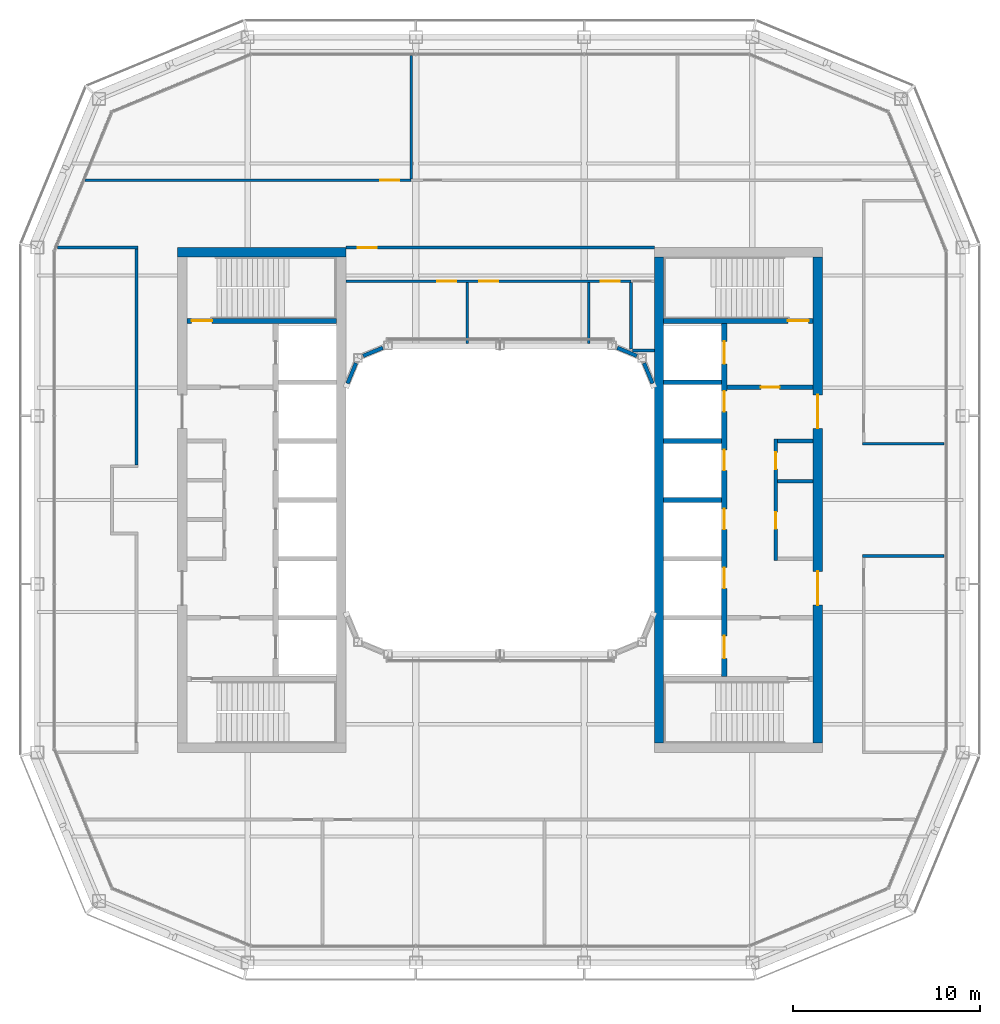
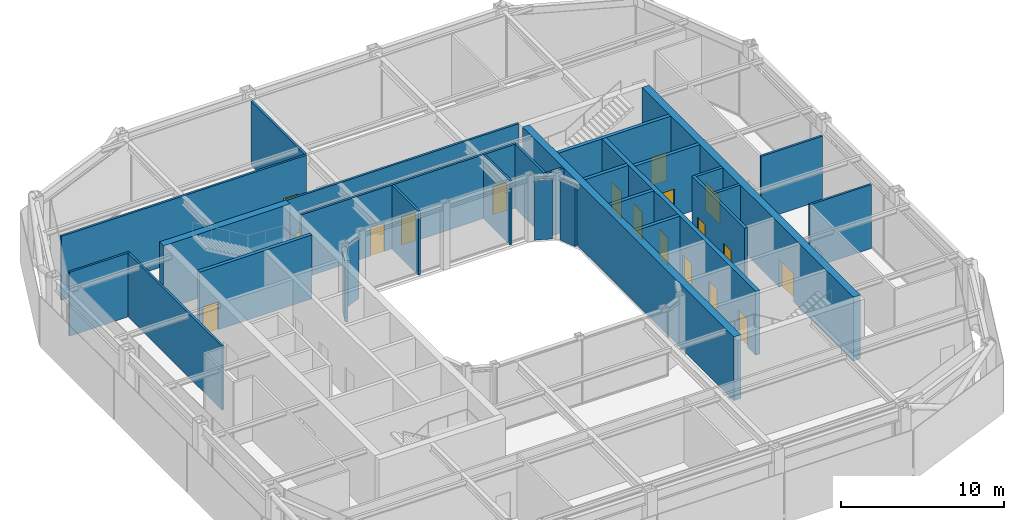
# One storey, part 12 of 17: 29 walls, 18 doors, 18 openings.
"""IFC4 building model written with IfcOpenShell, lengths in metres."""

from ifc_helpers import new_model, si_unit, direction, frame, frame_2d, origin, place, context, subcontext, project, spatial, rectangle, extrude, material, layer, layer_set, type_object, element, fill, save


model = new_model("IFC4")

# Units and contexts
model_context = context("Model", 3, precision=1e-05, world=origin(), true_north=direction((0.0, 1.0)))
body_context = subcontext(model_context, "Body", "Model", "MODEL_VIEW")
ifc_project = project(units=[si_unit("LENGTHUNIT", "METRE"), si_unit("AREAUNIT", "SQUARE_METRE"), si_unit("VOLUMEUNIT", "CUBIC_METRE"), si_unit("PLANEANGLEUNIT", "RADIAN"), si_unit("MASSUNIT", "GRAM", prefix="KILO")], contexts=[model_context])

# Site, building, storey
site_placement = place(None, origin())
site = spatial("IfcSite", under=ifc_project, at=site_placement, CompositionType="ELEMENT")
building_placement = place(site_placement, origin())
building = spatial("IfcBuilding", under=site, at=building_placement, Name="Siwar Civic Tower", CompositionType="ELEMENT")
storey_placement = place(building_placement, frame((0.0, 0.0, 348.199951171875)))
storey = spatial("IfcBuildingStorey", under=building, at=storey_placement, Name="L75", CompositionType="ELEMENT", Elevation=348.199951171875)

# Walls
ifc_material_1 = material(Name="Gypsum board on steel studs", Category="steel")
ifc_layer_1 = layer(ifc_material_1, 0.14990234375)
ifc_layer_set_1 = layer_set([ifc_layer_1], Name="Gypsum board on steel studs")
wall_type_1 = type_object("IfcWallType", Name="COMPARTMENT PARTITION 150 EI 60", PredefinedType="PARTITIONING", material=ifc_layer_set_1)
for number, where, z_axis, x_axis, name in (
    (1, (19.375, -3.0, 0.0), (0.0, 0.0, 1.0), (1.0, 0.0, 0.0), "L75/wall/P06"),
    (2, (19.375, 3.0, 0.0), (0.0, 0.0, 1.0), (1.0, 0.0, 0.0), "L75/wall/P09"),
):
    element("IfcWall", number, at=place(storey_placement, frame(where, z_axis=z_axis, x_axis=x_axis)), inside=storey, type_object=wall_type_1, Name=name, PredefinedType="PARTITIONING", context=body_context, shape_type="SweptSolid", body=[
        extrude(rectangle(XDim=4.385009765625, YDim=0.14990234375, at=frame_2d((2.1923828125, 0.0))), origin(), (0.0, 0.0, 1.0), 4.800048828125),
    ])
wall_1_placement = place(storey_placement, frame((7.0849609375, 7.9951171875, 0.0), z_axis=(0.0, 0.0, 1.0), x_axis=(1.0, 0.0, 0.0)))
element("IfcWall", 3, at=wall_1_placement, inside=storey, type_object=wall_type_1, Name="L75/wall/P10", PredefinedType="PARTITIONING", context=body_context, shape_type="SweptSolid", body=[
    extrude(rectangle(XDim=1.1650390625, YDim=0.14990234375, at=frame_2d((0.58251953125, 0.0))), origin(), (0.0, 0.0, 1.0), 4.800048828125),
])
wall_2_placement = place(storey_placement, frame((-4.75, 17.175048828125, 0.0), z_axis=(0.0, 0.0, 1.0), x_axis=(0.0, 1.0, 0.0)))
element("IfcWall", 4, at=wall_2_placement, inside=storey, type_object=wall_type_1, Name="L75/wall/P22", PredefinedType="PARTITIONING", context=body_context, shape_type="SweptSolid", body=[
    extrude(rectangle(XDim=6.5849609375, YDim=0.14990234375, at=frame_2d((3.29248046875, 0.0))), origin(), (0.0, 0.0, 1.0), 4.800048828125),
])
wall_3_placement = place(storey_placement, frame((7.0, 8.070068359375, 0.0), z_axis=(0.0, 0.0, 1.0), x_axis=(0.0, 1.0, 0.0)))
element("IfcWall", 5, at=wall_3_placement, inside=storey, type_object=wall_type_1, Name="L75/wall/P26", PredefinedType="PARTITIONING", context=body_context, shape_type="SweptSolid", body=[
    extrude(rectangle(XDim=3.554931640625, YDim=0.14990234375, at=frame_2d((1.77734375, 0.0))), origin(), (0.0, 0.0, 1.0), 4.800048828125),
])

# Wall, openings, doors
ifc_material_2 = material(Name="Gypsum board on steel studs", Category="steel")
ifc_layer_2 = layer(ifc_material_2, 0.199951171875)
ifc_layer_set_2 = layer_set([ifc_layer_2], Name="Gypsum board on steel studs")
wall_type_2 = type_object("IfcWallType", Name="CORE-PARTITION-200", PredefinedType="PARTITIONING", material=ifc_layer_set_2)
wall_4_placement = place(storey_placement, frame((14.75, -3.25, 0.0), z_axis=(0.0, 0.0, 1.0), x_axis=(0.0, 1.0, 0.0)))
wall_4 = element("IfcWall", 6, at=wall_4_placement, inside=storey, type_object=wall_type_2, Name="Core partition E", PredefinedType="PARTITIONING", context=body_context, shape_type="SweptSolid", body=[
    extrude(rectangle(XDim=6.5, YDim=0.199951171875, at=frame_2d((3.25, 0.0))), origin(), (0.0, 0.0, 1.0), 4.800048828125),
])
opening_1_placement = place(wall_4_placement, frame((1.699951171875, 0.0, 0.0)))
opening_1 = element("IfcOpeningElement", 7, at=opening_1_placement, cuts=wall_4, Name="Opening L75-CE13", PredefinedType="OPENING", context=body_context, shape_type="SweptSolid", body=[
    extrude(rectangle(XDim=0.89990234375, YDim=2.10009765625, at=frame_2d((0.449951171875, 1.050048828125))), frame((0.0, 0.10986328125, 0.0), z_axis=(0.0, -1.0, 0.0), x_axis=(1.0, 0.0, 0.0)), (0.0, 0.0, 1.0), 0.219970703125),
])
opening_2_placement = place(wall_4_placement, frame((4.89990234375, 0.0, 0.0)))
opening_2 = element("IfcOpeningElement", 8, at=opening_2_placement, cuts=wall_4, Name="Opening L75-CE14", PredefinedType="OPENING", context=body_context, shape_type="SweptSolid", body=[
    extrude(rectangle(XDim=0.89990234375, YDim=2.10009765625, at=frame_2d((0.449951171875, 1.050048828125))), frame((0.0, 0.10986328125, 0.0), z_axis=(0.0, -1.0, 0.0), x_axis=(1.0, 0.0, 0.0)), (0.0, 0.0, 1.0), 0.219970703125),
])
ifc_material_3 = material(Name="Steel door leaf", Category="steel")
door_type_1 = type_object("IfcDoorType", Name="CORE-DOOR-ROOM", OperationType="SINGLE_SWING_LEFT", PredefinedType="DOOR", material=ifc_material_3)
door_1_placement = place(opening_1_placement, origin())
door_1 = element("IfcDoor", 9, at=door_1_placement, inside=storey, type_object=door_type_1, Name="Core room door L75-CE13", OperationType="SINGLE_SWING_LEFT", OverallHeight=2.10009765625, OverallWidth=0.89990234375, PredefinedType="DOOR", context=body_context, shape_type="SweptSolid", body=[
    extrude(rectangle(XDim=0.89990234375, YDim=2.10009765625, at=frame_2d((0.449951171875, 1.050048828125))), frame((0.0, 0.02490234375, 0.0), z_axis=(0.0, -1.0, 0.0), x_axis=(1.0, 0.0, 0.0)), (0.0, 0.0, 1.0), 0.050048828125),
])
fill(opening_1, door_1)
door_2_placement = place(opening_2_placement, origin())
door_2 = element("IfcDoor", 10, at=door_2_placement, inside=storey, type_object=door_type_1, Name="Core room door L75-CE14", OperationType="SINGLE_SWING_RIGHT", OverallHeight=2.10009765625, OverallWidth=0.89990234375, PredefinedType="DOOR", context=body_context, shape_type="SweptSolid", body=[
    extrude(rectangle(XDim=0.89990234375, YDim=2.10009765625, at=frame_2d((0.449951171875, 1.050048828125))), frame((0.0, 0.02490234375, 0.0), z_axis=(0.0, -1.0, 0.0), x_axis=(1.0, 0.0, 0.0)), (0.0, 0.0, 1.0), 0.050048828125),
])
fill(opening_2, door_2)

# Walls
for number, where, z_axis, x_axis, name in (
    (11, (14.85009765625, 3.14990234375, 0.0), (0.0, 0.0, 1.0), (1.0, 0.0, 0.0), "Core partition E"),
    (12, (14.85009765625, 1.0, 0.0), (0.0, 0.0, 1.0), (1.0, 0.0, 0.0), "Core partition E"),
):
    element("IfcWall", number, at=place(storey_placement, frame(where, z_axis=z_axis, x_axis=x_axis)), inside=storey, type_object=wall_type_2, Name=name, PredefinedType="PARTITIONING", context=body_context, shape_type="SweptSolid", body=[
        extrude(rectangle(XDim=1.89990234375, YDim=0.199951171875, at=frame_2d((0.949951171875, 0.0))), origin(), (0.0, 0.0, 1.0), 4.800048828125),
    ])

# Wall, opening, door
ifc_material_4 = material(Name="Concrete C60/75", Category="concrete")
ifc_layer_3 = layer(ifc_material_4, 0.25)
ifc_layer_set_3 = layer_set([ifc_layer_3], Name="Concrete C60/75")
wall_type_3 = type_object("IfcWallType", Name="CORE-WALL-RC250", PredefinedType="SHEAR", material=ifc_layer_set_3)
wall_5_placement = place(storey_placement, frame((-8.75, 9.574951171875, 0.0), z_axis=(0.0, 0.0, 1.0), x_axis=(-1.0, 0.0, 0.0)))
wall_5 = element("IfcWall", 13, at=wall_5_placement, inside=storey, type_object=wall_type_3, Name="Core wall W", PredefinedType="SHEAR", context=body_context, shape_type="SweptSolid", body=[
    extrude(rectangle(XDim=8.0, YDim=0.25, at=frame_2d((4.0, 0.0))), origin(), (0.0, 0.0, 1.0), 4.800048828125),
])
opening_3_placement = place(wall_5_placement, frame((6.64990234375, 0.0, 0.0)))
opening_3 = element("IfcOpeningElement", 14, at=opening_3_placement, cuts=wall_5, Name="Opening L75-CW03", PredefinedType="OPENING", context=body_context, shape_type="SweptSolid", body=[
    extrude(rectangle(XDim=1.10009765625, YDim=2.10009765625, at=frame_2d((0.550048828125, 1.050048828125))), frame((0.0, 0.135009765625, 0.0), z_axis=(0.0, -1.0, 0.0), x_axis=(1.0, 0.0, 0.0)), (0.0, 0.0, 1.0), 0.27001953125),
])
ifc_material_5 = material(Name="Steel door leaf", Category="steel")
door_type_2 = type_object("IfcDoorType", Name="CORE-DOOR-FD60S", OperationType="SINGLE_SWING_LEFT", PredefinedType="DOOR", material=ifc_material_5)
door_3_placement = place(opening_3_placement, origin())
door_3 = element("IfcDoor", 15, at=door_3_placement, inside=storey, type_object=door_type_2, Name="Stair door L75-CW03", OperationType="SINGLE_SWING_RIGHT", OverallHeight=2.10009765625, OverallWidth=1.10009765625, PredefinedType="DOOR", context=body_context, shape_type="SweptSolid", body=[
    extrude(rectangle(XDim=1.10009765625, YDim=2.10009765625, at=frame_2d((0.550048828125, 1.050048828125))), frame((0.0, 0.02490234375, 0.0), z_axis=(0.0, -1.0, 0.0), x_axis=(1.0, 0.0, 0.0)), (0.0, 0.0, 1.0), 0.050048828125),
])
fill(opening_3, door_3)

wall_6_placement = place(storey_placement, frame((12.14990234375, 6.02490234375, 0.0), z_axis=(0.0, 0.0, 1.0), x_axis=(1.0, 0.0, 0.0)))
wall_6 = element("IfcWall", 16, at=wall_6_placement, inside=storey, type_object=wall_type_3, Name="Core wall E", PredefinedType="SHEAR", context=body_context, shape_type="SweptSolid", body=[
    extrude(rectangle(XDim=4.60009765625, YDim=0.25, at=frame_2d((2.300048828125, 0.0))), origin(), (0.0, 0.0, 1.0), 4.800048828125),
])
opening_4_placement = place(wall_6_placement, frame((1.800048828125, 0.0, 0.0)))
opening_4 = element("IfcOpeningElement", 17, at=opening_4_placement, cuts=wall_6, Name="Opening L75-CE01", PredefinedType="OPENING", context=body_context, shape_type="SweptSolid", body=[
    extrude(rectangle(XDim=1.0, YDim=2.10009765625, at=frame_2d((0.5, 1.050048828125))), frame((0.0, 0.135009765625, 0.0), z_axis=(0.0, -1.0, 0.0), x_axis=(1.0, 0.0, 0.0)), (0.0, 0.0, 1.0), 0.27001953125),
])
ifc_material_6 = material(Name="Steel door leaf", Category="steel")
door_type_3 = type_object("IfcDoorType", Name="CORE-DOOR-FD30S", OperationType="SINGLE_SWING_LEFT", PredefinedType="DOOR", material=ifc_material_6)
door_4_placement = place(opening_4_placement, origin())
door_4 = element("IfcDoor", 18, at=door_4_placement, inside=storey, type_object=door_type_3, Name="Firefighting lobby door L75-CE01", OperationType="SINGLE_SWING_RIGHT", OverallHeight=2.10009765625, OverallWidth=1.0, PredefinedType="DOOR", context=body_context, shape_type="SweptSolid", body=[
    extrude(rectangle(XDim=1.0, YDim=2.10009765625, at=frame_2d((0.5, 1.050048828125))), frame((0.0, 0.02490234375, 0.0), z_axis=(0.0, -1.0, 0.0), x_axis=(1.0, 0.0, 0.0)), (0.0, 0.0, 1.0), 0.050048828125),
])
fill(opening_4, door_4)

# Walls
for number, where, z_axis, x_axis, name in (
    (19, (8.75, 0.0, 0.0), (0.0, 0.0, 1.0), (1.0, 0.0, 0.0), "Core wall E"),
    (20, (8.75, 3.14990234375, 0.0), (0.0, 0.0, 1.0), (1.0, 0.0, 0.0), "Core wall E"),
    (21, (8.75, 6.300048828125, 0.0), (0.0, 0.0, 1.0), (1.0, 0.0, 0.0), "Core wall E"),
):
    element("IfcWall", number, at=place(storey_placement, frame(where, z_axis=z_axis, x_axis=x_axis)), inside=storey, type_object=wall_type_3, Name=name, PredefinedType="SHEAR", context=body_context, shape_type="SweptSolid", body=[
        extrude(rectangle(XDim=3.10009765625, YDim=0.25, at=frame_2d((1.550048828125, 0.0))), origin(), (0.0, 0.0, 1.0), 4.800048828125),
    ])

# Wall, opening, door
wall_7_placement = place(storey_placement, frame((8.75, 9.574951171875, 0.0), z_axis=(0.0, 0.0, 1.0), x_axis=(1.0, 0.0, 0.0)))
wall_7 = element("IfcWall", 22, at=wall_7_placement, inside=storey, type_object=wall_type_3, Name="Core wall E", PredefinedType="SHEAR", context=body_context, shape_type="SweptSolid", body=[
    extrude(rectangle(XDim=8.0, YDim=0.25, at=frame_2d((4.0, 0.0))), origin(), (0.0, 0.0, 1.0), 4.800048828125),
])
opening_5_placement = place(wall_7_placement, frame((6.64990234375, 0.0, 0.0)))
opening_5 = element("IfcOpeningElement", 23, at=opening_5_placement, cuts=wall_7, Name="Opening L75-CE03", PredefinedType="OPENING", context=body_context, shape_type="SweptSolid", body=[
    extrude(rectangle(XDim=1.10009765625, YDim=2.10009765625, at=frame_2d((0.550048828125, 1.050048828125))), frame((0.0, 0.135009765625, 0.0), z_axis=(0.0, -1.0, 0.0), x_axis=(1.0, 0.0, 0.0)), (0.0, 0.0, 1.0), 0.27001953125),
])
door_5_placement = place(opening_5_placement, origin())
door_5 = element("IfcDoor", 24, at=door_5_placement, inside=storey, type_object=door_type_2, Name="Stair door L75-CE03", OperationType="SINGLE_SWING_LEFT", OverallHeight=2.10009765625, OverallWidth=1.10009765625, PredefinedType="DOOR", context=body_context, shape_type="SweptSolid", body=[
    extrude(rectangle(XDim=1.10009765625, YDim=2.10009765625, at=frame_2d((0.550048828125, 1.050048828125))), frame((0.0, 0.02490234375, 0.0), z_axis=(0.0, -1.0, 0.0), x_axis=(1.0, 0.0, 0.0)), (0.0, 0.0, 1.0), 0.050048828125),
])
fill(opening_5, door_5)

# Wall, openings, doors
ifc_material_7 = material(Name="Concrete C60/75", Category="concrete")
ifc_layer_4 = layer(ifc_material_7, 0.300048828125)
ifc_layer_set_4 = layer_set([ifc_layer_4], Name="Concrete C60/75")
wall_type_4 = type_object("IfcWallType", Name="CORE-WALL-RC300", PredefinedType="SHEAR", material=ifc_layer_set_4)
wall_8_placement = place(storey_placement, frame((12.0, -9.449951171875, 0.0), z_axis=(0.0, 0.0, 1.0), x_axis=(0.0, 1.0, 0.0)))
wall_8 = element("IfcWall", 25, at=wall_8_placement, inside=storey, type_object=wall_type_4, Name="Core wall E", PredefinedType="SHEAR", context=body_context, shape_type="SweptSolid", body=[
    extrude(rectangle(XDim=18.89990234375, YDim=0.300048828125, at=frame_2d((9.449951171875, 0.0))), origin(), (0.0, 0.0, 1.0), 4.800048828125),
])
opening_6_placement = place(wall_8_placement, frame((4.72509765625, 0.0, 0.0)))
opening_6 = element("IfcOpeningElement", 26, at=opening_6_placement, cuts=wall_8, Name="Opening L75-CE07", PredefinedType="OPENING", context=body_context, shape_type="SweptSolid", body=[
    extrude(rectangle(XDim=1.10009765625, YDim=2.10009765625, at=frame_2d((0.550048828125, 1.050048828125))), frame((0.0, 0.16015625, 0.0), z_axis=(0.0, -1.0, 0.0), x_axis=(1.0, 0.0, 0.0)), (0.0, 0.0, 1.0), 0.320068359375),
])
opening_7_placement = place(wall_8_placement, frame((7.875, 0.0, 0.0)))
opening_7 = element("IfcOpeningElement", 27, at=opening_7_placement, cuts=wall_8, Name="Opening L75-CE08", PredefinedType="OPENING", context=body_context, shape_type="SweptSolid", body=[
    extrude(rectangle(XDim=1.10009765625, YDim=2.10009765625, at=frame_2d((0.550048828125, 1.050048828125))), frame((0.0, 0.16015625, 0.0), z_axis=(0.0, -1.0, 0.0), x_axis=(1.0, 0.0, 0.0)), (0.0, 0.0, 1.0), 0.320068359375),
])
opening_8_placement = place(wall_8_placement, frame((11.02490234375, 0.0, 0.0)))
opening_8 = element("IfcOpeningElement", 28, at=opening_8_placement, cuts=wall_8, Name="Opening L75-CE09", PredefinedType="OPENING", context=body_context, shape_type="SweptSolid", body=[
    extrude(rectangle(XDim=1.10009765625, YDim=2.10009765625, at=frame_2d((0.550048828125, 1.050048828125))), frame((0.0, 0.16015625, 0.0), z_axis=(0.0, -1.0, 0.0), x_axis=(1.0, 0.0, 0.0)), (0.0, 0.0, 1.0), 0.320068359375),
])
opening_9_placement = place(wall_8_placement, frame((14.175048828125, 0.0, 0.0)))
opening_9 = element("IfcOpeningElement", 29, at=opening_9_placement, cuts=wall_8, Name="Opening L75-CE10", PredefinedType="OPENING", context=body_context, shape_type="SweptSolid", body=[
    extrude(rectangle(XDim=1.10009765625, YDim=2.10009765625, at=frame_2d((0.550048828125, 1.050048828125))), frame((0.0, 0.16015625, 0.0), z_axis=(0.0, -1.0, 0.0), x_axis=(1.0, 0.0, 0.0)), (0.0, 0.0, 1.0), 0.320068359375),
])
opening_10_placement = place(wall_8_placement, frame((16.72509765625, 0.0, 0.0)))
opening_10 = element("IfcOpeningElement", 30, at=opening_10_placement, cuts=wall_8, Name="Opening L75-CE11", PredefinedType="OPENING", context=body_context, shape_type="SweptSolid", body=[
    extrude(rectangle(XDim=1.199951171875, YDim=2.10009765625, at=frame_2d((0.60009765625, 1.050048828125))), frame((0.0, 0.16015625, 0.0), z_axis=(0.0, -1.0, 0.0), x_axis=(1.0, 0.0, 0.0)), (0.0, 0.0, 1.0), 0.320068359375),
])
opening_11_placement = place(wall_8_placement, frame((0.97509765625, 0.0, 0.0)))
opening_11 = element("IfcOpeningElement", 31, at=opening_11_placement, cuts=wall_8, Name="Opening L75-CE12", PredefinedType="OPENING", context=body_context, shape_type="SweptSolid", body=[
    extrude(rectangle(XDim=1.199951171875, YDim=2.10009765625, at=frame_2d((0.60009765625, 1.050048828125))), frame((0.0, 0.16015625, 0.0), z_axis=(0.0, -1.0, 0.0), x_axis=(1.0, 0.0, 0.0)), (0.0, 0.0, 1.0), 0.320068359375),
])
ifc_material_8 = material(Name="Steel door leaf", Category="steel")
door_type_4 = type_object("IfcDoorType", Name="CORE-DOOR-LD", OperationType="DOUBLE_DOOR_SLIDING", PredefinedType="DOOR", material=ifc_material_8)
door_6_placement = place(opening_6_placement, origin())
door_6 = element("IfcDoor", 32, at=door_6_placement, inside=storey, type_object=door_type_4, Name="Landing door HR5 L75-CE07", OperationType="DOUBLE_DOOR_SLIDING", OverallHeight=2.10009765625, OverallWidth=1.10009765625, PredefinedType="DOOR", context=body_context, shape_type="SweptSolid", body=[
    extrude(rectangle(XDim=1.10009765625, YDim=2.10009765625, at=frame_2d((0.550048828125, 1.050048828125))), frame((0.0, 0.02490234375, 0.0), z_axis=(0.0, -1.0, 0.0), x_axis=(1.0, 0.0, 0.0)), (0.0, 0.0, 1.0), 0.050048828125),
])
fill(opening_6, door_6)
door_7_placement = place(opening_7_placement, origin())
door_7 = element("IfcDoor", 33, at=door_7_placement, inside=storey, type_object=door_type_4, Name="Landing door HR6 L75-CE08", OperationType="DOUBLE_DOOR_SLIDING", OverallHeight=2.10009765625, OverallWidth=1.10009765625, PredefinedType="DOOR", context=body_context, shape_type="SweptSolid", body=[
    extrude(rectangle(XDim=1.10009765625, YDim=2.10009765625, at=frame_2d((0.550048828125, 1.050048828125))), frame((0.0, 0.02490234375, 0.0), z_axis=(0.0, -1.0, 0.0), x_axis=(1.0, 0.0, 0.0)), (0.0, 0.0, 1.0), 0.050048828125),
])
fill(opening_7, door_7)
door_8_placement = place(opening_8_placement, origin())
door_8 = element("IfcDoor", 34, at=door_8_placement, inside=storey, type_object=door_type_4, Name="Landing door HR7 L75-CE09", OperationType="DOUBLE_DOOR_SLIDING", OverallHeight=2.10009765625, OverallWidth=1.10009765625, PredefinedType="DOOR", context=body_context, shape_type="SweptSolid", body=[
    extrude(rectangle(XDim=1.10009765625, YDim=2.10009765625, at=frame_2d((0.550048828125, 1.050048828125))), frame((0.0, 0.02490234375, 0.0), z_axis=(0.0, -1.0, 0.0), x_axis=(1.0, 0.0, 0.0)), (0.0, 0.0, 1.0), 0.050048828125),
])
fill(opening_8, door_8)
door_9_placement = place(opening_9_placement, origin())
door_9 = element("IfcDoor", 35, at=door_9_placement, inside=storey, type_object=door_type_4, Name="Landing door HR8 L75-CE10", OperationType="DOUBLE_DOOR_SLIDING", OverallHeight=2.10009765625, OverallWidth=1.10009765625, PredefinedType="DOOR", context=body_context, shape_type="SweptSolid", body=[
    extrude(rectangle(XDim=1.10009765625, YDim=2.10009765625, at=frame_2d((0.550048828125, 1.050048828125))), frame((0.0, 0.02490234375, 0.0), z_axis=(0.0, -1.0, 0.0), x_axis=(1.0, 0.0, 0.0)), (0.0, 0.0, 1.0), 0.050048828125),
])
fill(opening_9, door_9)
ifc_material_9 = material(Name="Steel door leaf", Category="steel")
door_type_5 = type_object("IfcDoorType", Name="CORE-DOOR-LDW", OperationType="DOUBLE_DOOR_SLIDING", PredefinedType="DOOR", material=ifc_material_9)
door_10_placement = place(opening_10_placement, origin())
door_10 = element("IfcDoor", 36, at=door_10_placement, inside=storey, type_object=door_type_5, Name="Landing door FF2 L75-CE11", OperationType="DOUBLE_DOOR_SLIDING", OverallHeight=2.10009765625, OverallWidth=1.199951171875, PredefinedType="DOOR", context=body_context, shape_type="SweptSolid", body=[
    extrude(rectangle(XDim=1.199951171875, YDim=2.10009765625, at=frame_2d((0.60009765625, 1.050048828125))), frame((0.0, 0.02490234375, 0.0), z_axis=(0.0, -1.0, 0.0), x_axis=(1.0, 0.0, 0.0)), (0.0, 0.0, 1.0), 0.050048828125),
])
fill(opening_10, door_10)
door_11_placement = place(opening_11_placement, origin())
door_11 = element("IfcDoor", 37, at=door_11_placement, inside=storey, type_object=door_type_5, Name="Landing door SV2 L75-CE12", OperationType="DOUBLE_DOOR_SLIDING", OverallHeight=2.10009765625, OverallWidth=1.199951171875, PredefinedType="DOOR", context=body_context, shape_type="SweptSolid", body=[
    extrude(rectangle(XDim=1.199951171875, YDim=2.10009765625, at=frame_2d((0.60009765625, 1.050048828125))), frame((0.0, 0.02490234375, 0.0), z_axis=(0.0, -1.0, 0.0), x_axis=(1.0, 0.0, 0.0)), (0.0, 0.0, 1.0), 0.050048828125),
])
fill(opening_11, door_11)

# Wall
ifc_material_10 = material(Name="Concrete C60/75", Category="concrete")
ifc_layer_5 = layer(ifc_material_10, 0.5)
ifc_layer_set_5 = layer_set([ifc_layer_5], Name="Concrete C60/75")
wall_type_5 = type_object("IfcWallType", Name="CORE-WALL-RC500", PredefinedType="SHEAR", material=ifc_layer_set_5)
wall_9_placement = place(storey_placement, frame((-8.25, 13.25, 0.0), z_axis=(0.0, 0.0, 1.0), x_axis=(-1.0, 0.0, 0.0)))
element("IfcWall", 38, at=wall_9_placement, inside=storey, type_object=wall_type_5, Name="Core wall W", PredefinedType="SHEAR", context=body_context, shape_type="SweptSolid", body=[
    extrude(rectangle(XDim=9.0, YDim=0.5, at=frame_2d((4.5, 0.0))), origin(), (0.0, 0.0, 1.0), 4.800048828125),
])

# Wall, openings, doors
wall_10_placement = place(storey_placement, frame((17.0, -13.0, 0.0), z_axis=(0.0, 0.0, 1.0), x_axis=(0.0, 1.0, 0.0)))
wall_10 = element("IfcWall", 39, at=wall_10_placement, inside=storey, type_object=wall_type_5, Name="Core wall E", PredefinedType="SHEAR", context=body_context, shape_type="SweptSolid", body=[
    extrude(rectangle(XDim=26.0, YDim=0.5, at=frame_2d((13.0, 0.0))), origin(), (0.0, 0.0, 1.0), 4.800048828125),
])
opening_12_placement = place(wall_10_placement, frame((16.824951171875, 0.0, 0.0)))
opening_12 = element("IfcOpeningElement", 40, at=opening_12_placement, cuts=wall_10, Name="Opening L75-CE05", PredefinedType="OPENING", context=body_context, shape_type="SweptSolid", body=[
    extrude(rectangle(XDim=1.800048828125, YDim=2.10009765625, at=frame_2d((0.89990234375, 1.050048828125))), frame((0.0, 0.260009765625, 0.0), z_axis=(0.0, -1.0, 0.0), x_axis=(1.0, 0.0, 0.0)), (0.0, 0.0, 1.0), 0.52001953125),
])
opening_13_placement = place(wall_10_placement, frame((7.375, 0.0, 0.0)))
opening_13 = element("IfcOpeningElement", 41, at=opening_13_placement, cuts=wall_10, Name="Opening L75-CE06", PredefinedType="OPENING", context=body_context, shape_type="SweptSolid", body=[
    extrude(rectangle(XDim=1.800048828125, YDim=2.10009765625, at=frame_2d((0.89990234375, 1.050048828125))), frame((0.0, 0.260009765625, 0.0), z_axis=(0.0, -1.0, 0.0), x_axis=(1.0, 0.0, 0.0)), (0.0, 0.0, 1.0), 0.52001953125),
])
ifc_material_11 = material(Name="Steel door leaf", Category="steel")
door_type_6 = type_object("IfcDoorType", Name="CORE-DOOR-PORT", OperationType="DOUBLE_DOOR_DOUBLE_SWING", PredefinedType="DOOR", material=ifc_material_11)
door_12_placement = place(opening_12_placement, origin())
door_12 = element("IfcDoor", 42, at=door_12_placement, inside=storey, type_object=door_type_6, Name="Core entrance door L75-CE05", OperationType="DOUBLE_DOOR_DOUBLE_SWING", OverallHeight=2.10009765625, OverallWidth=1.800048828125, PredefinedType="DOOR", context=body_context, shape_type="SweptSolid", body=[
    extrude(rectangle(XDim=1.800048828125, YDim=2.10009765625, at=frame_2d((0.89990234375, 1.050048828125))), frame((0.0, 0.02490234375, 0.0), z_axis=(0.0, -1.0, 0.0), x_axis=(1.0, 0.0, 0.0)), (0.0, 0.0, 1.0), 0.050048828125),
])
fill(opening_12, door_12)
door_13_placement = place(opening_13_placement, origin())
door_13 = element("IfcDoor", 43, at=door_13_placement, inside=storey, type_object=door_type_6, Name="Core entrance door L75-CE06", OperationType="DOUBLE_DOOR_DOUBLE_SWING", OverallHeight=2.10009765625, OverallWidth=1.800048828125, PredefinedType="DOOR", context=body_context, shape_type="SweptSolid", body=[
    extrude(rectangle(XDim=1.800048828125, YDim=2.10009765625, at=frame_2d((0.89990234375, 1.050048828125))), frame((0.0, 0.02490234375, 0.0), z_axis=(0.0, -1.0, 0.0), x_axis=(1.0, 0.0, 0.0)), (0.0, 0.0, 1.0), 0.050048828125),
])
fill(opening_13, door_13)

# Wall
ifc_material_12 = material(Name="Concrete C60/75", Category="concrete")
ifc_layer_6 = layer(ifc_material_12, 0.5)
ifc_layer_set_6 = layer_set([ifc_layer_6], Name="Concrete C60/75")
wall_type_6 = type_object("IfcWallType", Name="CORE-WALL-RC500-EXT", PredefinedType="SHEAR", material=ifc_layer_set_6)
wall_11_placement = place(storey_placement, frame((8.5, -13.0, 0.0), z_axis=(0.0, 0.0, 1.0), x_axis=(0.0, 1.0, 0.0)))
element("IfcWall", 44, at=wall_11_placement, inside=storey, type_object=wall_type_6, Name="Core wall E", PredefinedType="SHEAR", context=body_context, shape_type="SweptSolid", body=[
    extrude(rectangle(XDim=26.0, YDim=0.5, at=frame_2d((13.0, 0.0))), origin(), (0.0, 0.0, 1.0), 4.800048828125),
])

# Wall, openings, doors
ifc_material_13 = material(Name="Gypsum board on steel studs", Category="steel")
ifc_layer_7 = layer(ifc_material_13, 0.14990234375)
ifc_layer_set_7 = layer_set([ifc_layer_7], Name="Gypsum board on steel studs")
wall_type_7 = type_object("IfcWallType", Name="CORRIDOR PARTITION 150 EI 30", PredefinedType="PARTITIONING", material=ifc_layer_set_7)
wall_12_placement = place(storey_placement, frame((-8.25, 11.699951171875, 0.0), z_axis=(0.0, 0.0, 1.0), x_axis=(1.0, 0.0, 0.0)))
wall_12 = element("IfcWall", 45, at=wall_12_placement, inside=storey, type_object=wall_type_7, Name="L75/wall/P11", PredefinedType="PARTITIONING", context=body_context, shape_type="SweptSolid", body=[
    extrude(rectangle(XDim=15.25, YDim=0.14990234375, at=frame_2d((7.625, 0.0))), origin(), (0.0, 0.0, 1.0), 4.800048828125),
])
opening_14_placement = place(wall_12_placement, frame((4.89990234375, 0.0, 0.0)))
opening_14 = element("IfcOpeningElement", 46, at=opening_14_placement, cuts=wall_12, Name="Opening D3", PredefinedType="OPENING", context=body_context, shape_type="SweptSolid", body=[
    extrude(rectangle(XDim=1.0, YDim=2.10009765625, at=frame_2d((0.5, 1.050048828125))), frame((0.0, 0.0849609375, 0.0), z_axis=(0.0, -1.0, 0.0), x_axis=(1.0, 0.0, 0.0)), (0.0, 0.0, 1.0), 0.169921875),
])
opening_15_placement = place(wall_12_placement, frame((7.14990234375, 0.0, 0.0)))
opening_15 = element("IfcOpeningElement", 47, at=opening_15_placement, cuts=wall_12, Name="Opening D3", PredefinedType="OPENING", context=body_context, shape_type="SweptSolid", body=[
    extrude(rectangle(XDim=1.0, YDim=2.10009765625, at=frame_2d((0.5, 1.050048828125))), frame((0.0, 0.0849609375, 0.0), z_axis=(0.0, -1.0, 0.0), x_axis=(1.0, 0.0, 0.0)), (0.0, 0.0, 1.0), 0.169921875),
])
opening_16_placement = place(wall_12_placement, frame((13.64990234375, 0.0, 0.0)))
opening_16 = element("IfcOpeningElement", 48, at=opening_16_placement, cuts=wall_12, Name="Opening D3", PredefinedType="OPENING", context=body_context, shape_type="SweptSolid", body=[
    extrude(rectangle(XDim=1.0, YDim=2.10009765625, at=frame_2d((0.5, 1.050048828125))), frame((0.0, 0.0849609375, 0.0), z_axis=(0.0, -1.0, 0.0), x_axis=(1.0, 0.0, 0.0)), (0.0, 0.0, 1.0), 0.169921875),
])
ifc_material_14 = material(Name="Timber, painted", Category="wood")
door_type_7 = type_object("IfcDoorType", Name="DOOR 1000 X 2100 WC", OperationType="SINGLE_SWING_LEFT", PredefinedType="DOOR", material=ifc_material_14)
door_14_placement = place(opening_14_placement, origin())
door_14 = element("IfcDoor", 49, at=door_14_placement, inside=storey, type_object=door_type_7, Name="L75-D08", OperationType="SINGLE_SWING_RIGHT", OverallHeight=2.10009765625, OverallWidth=1.0, PredefinedType="DOOR", context=body_context, shape_type="SweptSolid", body=[
    extrude(rectangle(XDim=1.0, YDim=2.10009765625, at=frame_2d((0.5, 1.050048828125))), frame((0.0, 0.02490234375, 0.0), z_axis=(0.0, -1.0, 0.0), x_axis=(1.0, 0.0, 0.0)), (0.0, 0.0, 1.0), 0.050048828125),
])
fill(opening_14, door_14)
door_15_placement = place(opening_15_placement, origin())
door_15 = element("IfcDoor", 50, at=door_15_placement, inside=storey, type_object=door_type_7, Name="L75-D09", OperationType="SINGLE_SWING_LEFT", OverallHeight=2.10009765625, OverallWidth=1.0, PredefinedType="DOOR", context=body_context, shape_type="SweptSolid", body=[
    extrude(rectangle(XDim=1.0, YDim=2.10009765625, at=frame_2d((0.5, 1.050048828125))), frame((0.0, 0.02490234375, 0.0), z_axis=(0.0, -1.0, 0.0), x_axis=(1.0, 0.0, 0.0)), (0.0, 0.0, 1.0), 0.050048828125),
])
fill(opening_15, door_15)
door_16_placement = place(opening_16_placement, origin())
door_16 = element("IfcDoor", 51, at=door_16_placement, inside=storey, type_object=door_type_7, Name="L75-D10", OperationType="SINGLE_SWING_RIGHT", OverallHeight=2.10009765625, OverallWidth=1.0, PredefinedType="DOOR", context=body_context, shape_type="SweptSolid", body=[
    extrude(rectangle(XDim=1.0, YDim=2.10009765625, at=frame_2d((0.5, 1.050048828125))), frame((0.0, 0.02490234375, 0.0), z_axis=(0.0, -1.0, 0.0), x_axis=(1.0, 0.0, 0.0)), (0.0, 0.0, 1.0), 0.050048828125),
])
fill(opening_16, door_16)

# Wall
wall_13_placement = place(storey_placement, frame((-23.677978515625, 13.5, 0.0), z_axis=(0.0, 0.0, 1.0), x_axis=(1.0, 0.0, 0.0)))
element("IfcWall", 52, at=wall_13_placement, inside=storey, type_object=wall_type_7, Name="L75/wall/P13", PredefinedType="PARTITIONING", context=body_context, shape_type="SweptSolid", body=[
    extrude(rectangle(XDim=4.302978515625, YDim=0.14990234375, at=frame_2d((2.1513671875, 0.0))), origin(), (0.0, 0.0, 1.0), 4.800048828125),
])

# Wall, opening, door
wall_14_placement = place(storey_placement, frame((-8.25, 13.5, 0.0), z_axis=(0.0, 0.0, 1.0), x_axis=(1.0, 0.0, 0.0)))
wall_14 = element("IfcWall", 53, at=wall_14_placement, inside=storey, type_object=wall_type_7, Name="L75/wall/P14", PredefinedType="PARTITIONING", context=body_context, shape_type="SweptSolid", body=[
    extrude(rectangle(XDim=16.5, YDim=0.14990234375, at=frame_2d((8.25, 0.0))), origin(), (0.0, 0.0, 1.0), 4.800048828125),
])
opening_17_placement = place(wall_14_placement, frame((0.64990234375, 0.0, 0.0)))
opening_17 = element("IfcOpeningElement", 54, at=opening_17_placement, cuts=wall_14, Name="Opening D1", PredefinedType="OPENING", context=body_context, shape_type="SweptSolid", body=[
    extrude(rectangle(XDim=1.0, YDim=2.10009765625, at=frame_2d((0.5, 1.050048828125))), frame((0.0, 0.0849609375, 0.0), z_axis=(0.0, -1.0, 0.0), x_axis=(1.0, 0.0, 0.0)), (0.0, 0.0, 1.0), 0.169921875),
])
ifc_material_15 = material(Name="Timber, painted", Category="wood")
door_type_8 = type_object("IfcDoorType", Name="DOOR 1000 X 2100 FD30", OperationType="SINGLE_SWING_LEFT", PredefinedType="DOOR", material=ifc_material_15)
door_17_placement = place(opening_17_placement, origin())
door_17 = element("IfcDoor", 55, at=door_17_placement, inside=storey, type_object=door_type_8, Name="L75-D07", OperationType="SINGLE_SWING_LEFT", OverallHeight=2.10009765625, OverallWidth=1.0, PredefinedType="DOOR", context=body_context, shape_type="SweptSolid", body=[
    extrude(rectangle(XDim=1.0, YDim=2.10009765625, at=frame_2d((0.5, 1.050048828125))), frame((0.0, 0.02490234375, 0.0), z_axis=(0.0, -1.0, 0.0), x_axis=(1.0, 0.0, 0.0)), (0.0, 0.0, 1.0), 0.050048828125),
])
fill(opening_17, door_17)

wall_15_placement = place(storey_placement, frame((-22.18701171875, 17.10009765625, 0.0), z_axis=(0.0, 0.0, 1.0), x_axis=(1.0, 0.0, 0.0)))
wall_15 = element("IfcWall", 56, at=wall_15_placement, inside=storey, type_object=wall_type_7, Name="L75/wall/P16", PredefinedType="PARTITIONING", context=body_context, shape_type="SweptSolid", body=[
    extrude(rectangle(XDim=17.43701171875, YDim=0.14990234375, at=frame_2d((8.718505859375, 0.0))), origin(), (0.0, 0.0, 1.0), 4.800048828125),
])
opening_18_placement = place(wall_15_placement, frame((15.787109375, 0.0, 0.0)))
opening_18 = element("IfcOpeningElement", 57, at=opening_18_placement, cuts=wall_15, Name="Opening D1", PredefinedType="OPENING", context=body_context, shape_type="SweptSolid", body=[
    extrude(rectangle(XDim=1.0, YDim=2.10009765625, at=frame_2d((0.5, 1.050048828125))), frame((0.0, 0.0849609375, 0.0), z_axis=(0.0, -1.0, 0.0), x_axis=(1.0, 0.0, 0.0)), (0.0, 0.0, 1.0), 0.169921875),
])
door_18_placement = place(opening_18_placement, origin())
door_18 = element("IfcDoor", 58, at=door_18_placement, inside=storey, type_object=door_type_8, Name="L75-D01", OperationType="SINGLE_SWING_LEFT", OverallHeight=2.10009765625, OverallWidth=1.0, PredefinedType="DOOR", context=body_context, shape_type="SweptSolid", body=[
    extrude(rectangle(XDim=1.0, YDim=2.10009765625, at=frame_2d((0.5, 1.050048828125))), frame((0.0, 0.02490234375, 0.0), z_axis=(0.0, -1.0, 0.0), x_axis=(1.0, 0.0, 0.0)), (0.0, 0.0, 1.0), 0.050048828125),
])
fill(opening_18, door_18)

# Walls
wall_16_placement = place(storey_placement, frame((-19.449951171875, 1.875, 0.0), z_axis=(0.0, 0.0, 1.0), x_axis=(0.0, 1.0, 0.0)))
element("IfcWall", 59, at=wall_16_placement, inside=storey, type_object=wall_type_7, Name="L75/wall/P20", PredefinedType="PARTITIONING", context=body_context, shape_type="SweptSolid", body=[
    extrude(rectangle(XDim=11.550048828125, YDim=0.14990234375, at=frame_2d((5.77490234375, 0.0))), origin(), (0.0, 0.0, 1.0), 4.800048828125),
])
for number, where, z_axis, x_axis, name in (
    (60, (-1.75, 8.3701171875, 0.0), (0.0, 0.0, 1.0), (0.0, 1.0, 0.0), "L75/wall/P23"),
    (61, (4.75, 8.3701171875, 0.0), (0.0, 0.0, 1.0), (0.0, 1.0, 0.0), "L75/wall/P25"),
):
    element("IfcWall", number, at=place(storey_placement, frame(where, z_axis=z_axis, x_axis=x_axis)), inside=storey, type_object=wall_type_7, Name=name, PredefinedType="PARTITIONING", context=body_context, shape_type="SweptSolid", body=[
        extrude(rectangle(XDim=3.2548828125, YDim=0.14990234375, at=frame_2d((1.62744140625, 0.0))), origin(), (0.0, 0.0, 1.0), 4.800048828125),
    ])
ifc_material_16 = material(Name="Aluminium clad insulated panel", Category="aluminium")
ifc_layer_8 = layer(ifc_material_16, 0.199951171875)
ifc_layer_set_8 = layer_set([ifc_layer_8], Name="Aluminium clad insulated panel")
wall_type_8 = type_object("IfcWallType", Name="ENV-WALL-WELL", PredefinedType="STANDARD", material=ifc_layer_set_8)
wall_17_placement = place(storey_placement, frame((8.154296875, 6.23095703125, 0.0), z_axis=(0.0, 0.0, 1.0), x_axis=(-0.382760542083, 0.92384758885, 0.0)))
element("IfcWall", 62, at=wall_17_placement, inside=storey, type_object=wall_type_8, Name="Light well corner wall NE1", PredefinedType="STANDARD", context=body_context, shape_type="SweptSolid", body=[
    extrude(rectangle(XDim=1.177978515625, YDim=0.199951171875, at=frame_2d((0.5888671875, 0.0))), origin(), (0.0, 0.0, 1.0), 4.4599609375),
])
for number, where, z_axis, x_axis, name in (
    (63, (7.3193359375, 7.703369140625, 0.0), (0.0, 0.0, 1.0), (-0.923864661962, 0.382719331074, 0.0), "Light well corner wall NE2"),
    (64, (-6.271484375, 8.137451171875, 0.0), (0.0, 0.0, 1.0), (-0.923864661962, -0.382719331074, 0.0), "Light well corner wall NW1"),
):
    element("IfcWall", number, at=place(storey_placement, frame(where, z_axis=z_axis, x_axis=x_axis)), inside=storey, type_object=wall_type_8, Name=name, PredefinedType="STANDARD", context=body_context, shape_type="SweptSolid", body=[
        extrude(rectangle(XDim=1.13427734375, YDim=0.199951171875, at=frame_2d((0.567138671875, 0.0))), origin(), (0.0, 0.0, 1.0), 4.4599609375),
    ])
wall_18_placement = place(storey_placement, frame((-7.703369140625, 7.3193359375, 0.0), z_axis=(0.0, 0.0, 1.0), x_axis=(-0.382760542083, -0.92384758885, 0.0)))
element("IfcWall", 65, at=wall_18_placement, inside=storey, type_object=wall_type_8, Name="Light well corner wall NW2", PredefinedType="STANDARD", context=body_context, shape_type="SweptSolid", body=[
    extrude(rectangle(XDim=1.177978515625, YDim=0.199951171875, at=frame_2d((0.5888671875, 0.0))), origin(), (0.0, 0.0, 1.0), 4.4599609375),
])

save(model, "model.ifc")
